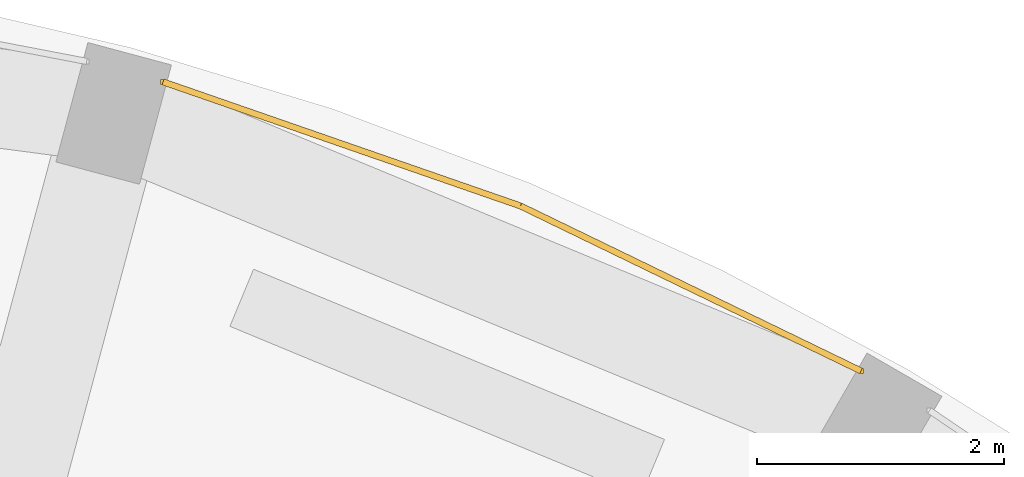
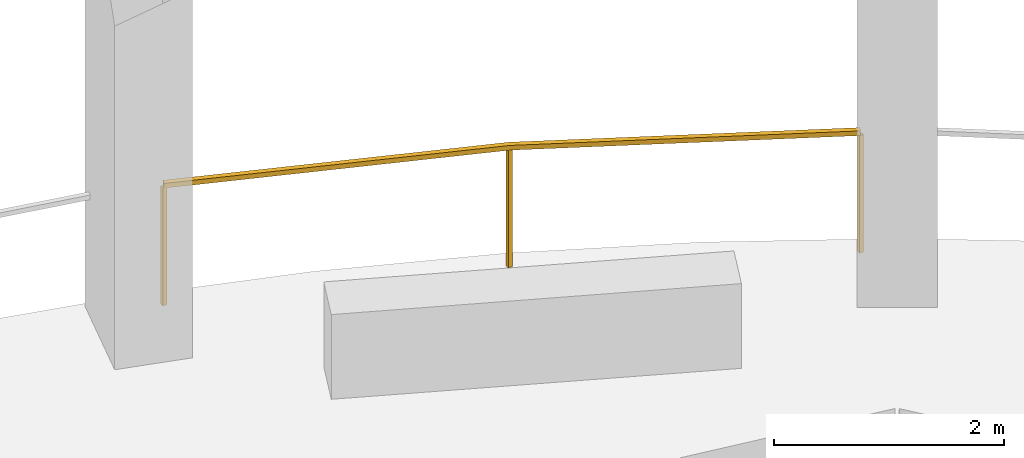
# One storey, part 9 of 9: 1 railing.
"""IFC4 building model written with IfcOpenShell, lengths in metres."""

from ifc_helpers import new_model, si_unit, direction, frame, origin, origin_2d, place, context, subcontext, project, spatial, rectangle, extrude, material, type_object, element, save


model = new_model("IFC4")

# Units and contexts
model_context = context("Model", 3, precision=1e-05, world=origin(), true_north=direction((0.0, 1.0)))
body_context = subcontext(model_context, "Body", "Model", "MODEL_VIEW")
ifc_project = project(units=[si_unit("LENGTHUNIT", "METRE"), si_unit("AREAUNIT", "SQUARE_METRE"), si_unit("VOLUMEUNIT", "CUBIC_METRE"), si_unit("PLANEANGLEUNIT", "RADIAN"), si_unit("MASSUNIT", "GRAM", prefix="KILO")], contexts=[model_context])

# Site, building, storey
site_placement = place(None, origin())
site = spatial("IfcSite", under=ifc_project, at=site_placement, CompositionType="ELEMENT")
building_placement = place(site_placement, origin())
building = spatial("IfcBuilding", under=site, at=building_placement, Name="Torre Triforio", CompositionType="ELEMENT")
storey_placement = place(building_placement, frame((0.0, 0.0, 106.60009765625)))
storey = spatial("IfcBuildingStorey", under=building, at=storey_placement, Name="L23", CompositionType="ELEMENT", Elevation=106.60009765625)

# Railing
ifc_material = material(Name="Stainless steel AISI 316", Category="steel")
railing_type = type_object("IfcRailingType", Name="Loggia guard 1300", PredefinedType="GUARDRAIL", material=ifc_material)
railing_placement = place(storey_placement, frame((12.64794921875, 22.546875, 0.0)))
element("IfcRailing", 1, at=railing_placement, inside=storey, type_object=railing_type, Name="Loggia guard L23 bay 05", PredefinedType="GUARDRAIL", context=body_context, shape_type="SweptSolid", body=[
    extrude(rectangle(XDim=0.050048828125, YDim=0.050048828125, at=origin_2d()), frame((0.0, 0.0, 1.27490234375), z_axis=(-0.899891864914, 0.436113094806, 0.0), x_axis=(-0.436113094806, -0.899891864914, 0.0)), (0.0, 0.0, 1.0), 3.062255859375),
    extrude(rectangle(XDim=0.050048828125, YDim=0.050048828125, at=origin_2d()), frame((-2.755615234375, 1.33544921875, 1.27490234375), z_axis=(-0.944704198295, 0.327923737665, 0.0), x_axis=(-0.327923737665, -0.944704198295, 0.0)), (0.0, 0.0, 1.0), 3.062255859375),
    extrude(rectangle(XDim=0.0400390625, YDim=0.0400390625, at=origin_2d()), origin(), (0.0, 0.0, 1.0), 1.25),
    extrude(rectangle(XDim=0.0400390625, YDim=0.0400390625, at=origin_2d()), frame((-2.755615234375, 1.33544921875, 0.0)), (0.0, 0.0, 1.0), 1.25),
    extrude(rectangle(XDim=0.0400390625, YDim=0.0400390625, at=origin_2d()), frame((-5.6484375, 2.339599609375, 0.0)), (0.0, 0.0, 1.0), 1.25),
])

save(model, "model.ifc")
